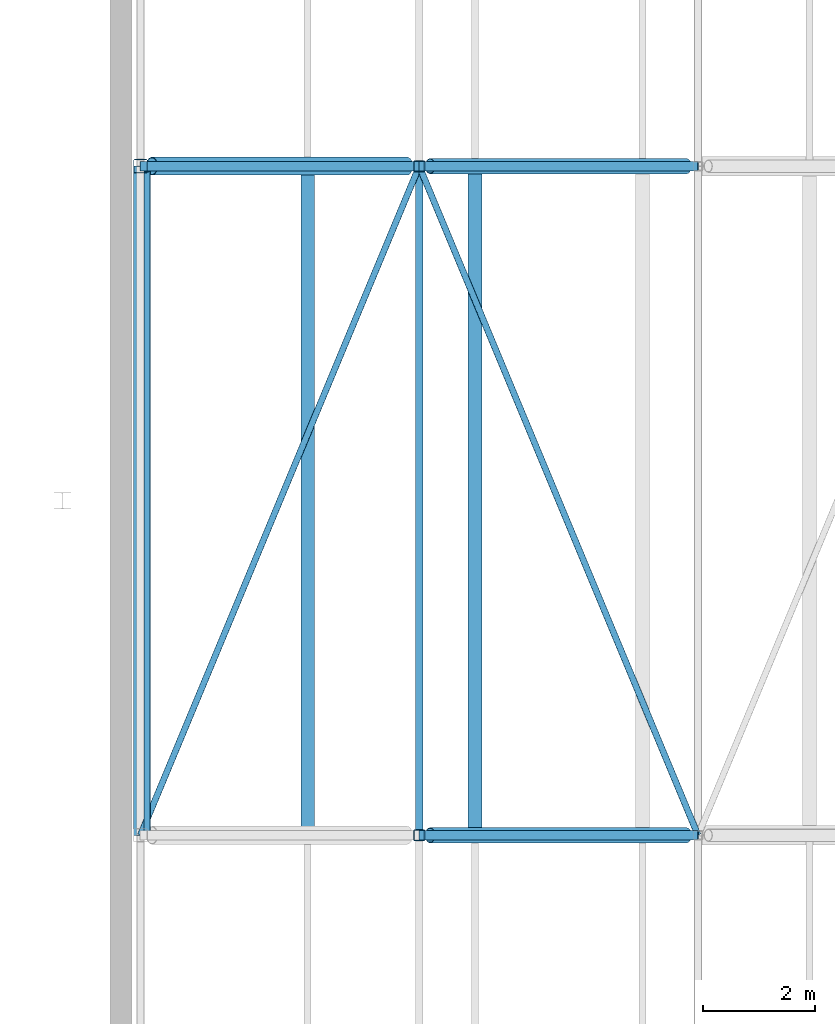
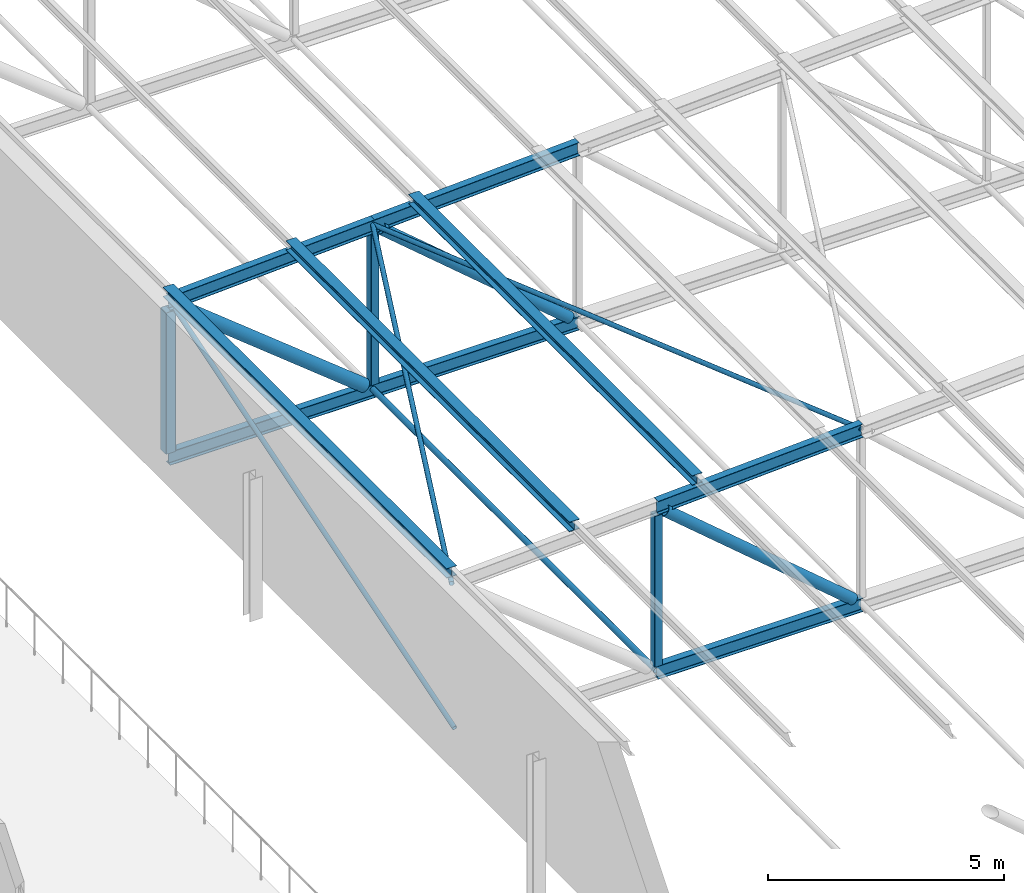
# One storey, part 91 of 156: 19 members.
"""IFC4 building model written with IfcOpenShell, lengths in metres."""

from ifc_helpers import new_model, si_unit, direction, frame, origin, origin_2d, place, context, subcontext, project, spatial, hollow_rectangle, hollow_circle, i_section, extrude, material, material_profile, profile_set, type_object, element, save


model = new_model("IFC4")

# Units and contexts
model_context = context("Model", 3, precision=1e-05, world=origin(), true_north=direction((0.0, 1.0)))
body_context = subcontext(model_context, "Body", "Model", "MODEL_VIEW")
ifc_project = project(units=[si_unit("LENGTHUNIT", "METRE"), si_unit("AREAUNIT", "SQUARE_METRE"), si_unit("VOLUMEUNIT", "CUBIC_METRE"), si_unit("PLANEANGLEUNIT", "RADIAN"), si_unit("MASSUNIT", "GRAM", prefix="KILO")], contexts=[model_context])

# Site, building, storey
site_placement = place(None, origin())
site = spatial("IfcSite", under=ifc_project, at=site_placement, CompositionType="ELEMENT")
building_placement = place(site_placement, origin())
building = spatial("IfcBuilding", under=site, at=building_placement, Name="Lilac Gate Convention Centre", CompositionType="ELEMENT")
storey_placement = place(building_placement, frame((0.0, 0.0, 17.0)))
storey = spatial("IfcBuildingStorey", under=building, at=storey_placement, Name="L03", CompositionType="ELEMENT", Elevation=17.0)

# Members
ifc_material = material(Name="Steel Q355B", Category="steel")
ifc_material_profile_1 = material_profile(ifc_material, hollow_circle(Radius=0.06982421875, WallThickness=0.0048828125, at=origin_2d()), Name="CHS139.7x5")
ifc_profile_set_1 = profile_set([ifc_material_profile_1], Name="Steel Q355B")
member_type_1 = type_object("IfcMemberType", Name="Bottom chord tie CHS139.7x5", PredefinedType="STRUT", material=ifc_profile_set_1)
member_1_placement = place(storey_placement, frame((35.0, 174.00341796875, 0.0), z_axis=(0.0, 1.0, 0.0), x_axis=(-1.0, 0.0, 0.0)))
element("IfcMember", 1, at=member_1_placement, inside=storey, type_object=member_type_1, Name="ST1 tie bay 13 node 2", PredefinedType="STRUT", context=body_context, shape_type="SweptSolid", body=[
    extrude(hollow_circle(Radius=0.06982421875, WallThickness=0.0048828125, at=origin_2d()), origin(), (0.0, 0.0, 1.0), 11.9931640625),
])
ifc_material_profile_2 = material_profile(ifc_material, hollow_circle(Radius=0.05712890625, WallThickness=0.0048828125, at=origin_2d()), Name="CHS114.3x5")
ifc_profile_set_2 = profile_set([ifc_material_profile_2], Name="Steel Q355B")
member_type_2 = type_object("IfcMemberType", Name="Roof plane bracing CHS114.3x5", PredefinedType="BRACE", material=ifc_profile_set_2)
for number, where, z_axis, x_axis, name in (
    (2, (30.00146484375, 174.00341796875, 4.0), (0.384538867181, 0.922908311091, 0.019238215751), (-0.923079146825, 0.384610047578, 0.0), "BR1 plan bracing bay 13 panel 1"),
    (3, (35.00146484375, 185.99658203125, 4.25), (0.384538867181, -0.922908311091, 0.019238215751), (0.923079146825, 0.384610047578, 0.0), "BR1 plan bracing bay 13 panel 2"),
):
    element("IfcMember", number, at=place(storey_placement, frame(where, z_axis=z_axis, x_axis=x_axis)), inside=storey, type_object=member_type_2, Name=name, PredefinedType="BRACE", context=body_context, shape_type="SweptSolid", body=[
        extrude(hollow_circle(Radius=0.05712890625, WallThickness=0.0048828125, at=origin_2d()), origin(), (0.0, 0.0, 1.0), 12.994873046875),
    ])
ifc_material_profile_3 = material_profile(ifc_material, i_section(OverallWidth=0.25, OverallDepth=0.25, WebThickness=0.009033203125, FlangeThickness=0.013916015625, FilletRadius=0.012939453125, at=origin_2d()), Name="HW250x250x9x14")
ifc_profile_set_3 = profile_set([ifc_material_profile_3], Name="Steel Q355B")
member_type_3 = type_object("IfcMemberType", Name="Roof purlin HW250x250x9x14", PredefinedType="PURLIN", material=ifc_profile_set_3)
for number, where, z_axis, x_axis, name in (
    (4, (30.0, 174.0, 4.30029296875), (0.0, 1.0, 0.0), (-1.0, 0.0, 0.0), "PU1 purlin bay 13 line 1"),
    (5, (33.0, 174.0, 4.4501953125), (0.0, 1.0, 0.0), (-1.0, 0.0, 0.0), "PU1 purlin bay 13 line 2"),
    (6, (36.0, 174.0, 4.60009765625), (0.0, 1.0, 0.0), (-1.0, 0.0, 0.0), "PU1 purlin bay 13 line 3"),
):
    element("IfcMember", number, at=place(storey_placement, frame(where, z_axis=z_axis, x_axis=x_axis)), inside=storey, type_object=member_type_3, Name=name, PredefinedType="PURLIN", context=body_context, shape_type="SweptSolid", body=[
        extrude(i_section(OverallWidth=0.25, OverallDepth=0.25, WebThickness=0.009033203125, FlangeThickness=0.013916015625, FilletRadius=0.012939453125, at=origin_2d()), origin(), (0.0, 0.0, 1.0), 12.0),
    ])
ifc_material_profile_4 = material_profile(ifc_material, i_section(OverallWidth=0.175048828125, OverallDepth=0.35009765625, WebThickness=0.007080078125, FlangeThickness=0.010986328125, FilletRadius=0.012939453125, at=origin_2d()), Name="HN350x175x7x11")
ifc_profile_set_4 = profile_set([ifc_material_profile_4], Name="Steel Q355B")
member_type_4 = type_object("IfcMemberType", Name="Truss bottom chord HN350x175x7x11", PredefinedType="CHORD", material=ifc_profile_set_4)
for number, where, z_axis, x_axis, name in (
    (7, (35.0, 174.0, 0.0), (1.0, 0.0, 0.0), (0.0, 1.0, 0.0), "TB1 truss 13 bottom chord 2"),
    (8, (30.0, 186.0, 0.0), (1.0, 0.0, 0.0), (0.0, 1.0, 0.0), "TB1 truss 14 bottom chord 1"),
    (9, (35.0, 186.0, 0.0), (1.0, 0.0, 0.0), (0.0, 1.0, 0.0), "TB1 truss 14 bottom chord 2"),
):
    element("IfcMember", number, at=place(storey_placement, frame(where, z_axis=z_axis, x_axis=x_axis)), inside=storey, type_object=member_type_4, Name=name, PredefinedType="CHORD", context=body_context, shape_type="SweptSolid", body=[
        extrude(i_section(OverallWidth=0.175048828125, OverallDepth=0.35009765625, WebThickness=0.007080078125, FlangeThickness=0.010986328125, FilletRadius=0.012939453125, at=origin_2d()), origin(), (0.0, 0.0, 1.0), 5.0),
    ])
ifc_material_profile_5 = material_profile(ifc_material, hollow_circle(Radius=0.136474609375, WallThickness=0.010009765625, at=origin_2d()), Name="CHS273x10")
ifc_profile_set_5 = profile_set([ifc_material_profile_5], Name="Steel Q355B")
member_type_5 = type_object("IfcMemberType", Name="Truss diagonal CHS273x10", PredefinedType="BRACE", material=ifc_profile_set_5)
for number, where, z_axis, x_axis, name in (
    (10, (35.193115234375, 174.0, 4.085693359375), (0.761961263863, 0.0, -0.647622600263), (0.0, 1.0, 0.0), "TW2 truss 13 diagonal 2"),
    (11, (35.193115234375, 186.0, 4.085693359375), (0.761961263863, 0.0, -0.647622600263), (0.0, 1.0, 0.0), "TW2 truss 14 diagonal 2"),
):
    element("IfcMember", number, at=place(storey_placement, frame(where, z_axis=z_axis, x_axis=x_axis)), inside=storey, type_object=member_type_5, Name=name, PredefinedType="BRACE", context=body_context, shape_type="SweptSolid", body=[
        extrude(hollow_circle(Radius=0.136474609375, WallThickness=0.010009765625, at=origin_2d()), origin(), (0.0, 0.0, 1.0), 6.03857421875),
    ])
ifc_material_profile_6 = material_profile(ifc_material, hollow_circle(Radius=0.161865234375, WallThickness=0.011962890625, at=origin_2d()), Name="CHS323.9x12")
ifc_profile_set_6 = profile_set([ifc_material_profile_6], Name="Steel Q355B")
member_type_6 = type_object("IfcMemberType", Name="Truss diagonal CHS323.9x12", PredefinedType="BRACE", material=ifc_profile_set_6)
member_2_placement = place(storey_placement, frame((30.205322265625, 186.0, 3.835693359375), z_axis=(0.780876938611, 0.0, -0.624684885959), x_axis=(0.0, 1.0, 0.0)))
element("IfcMember", 12, at=member_2_placement, inside=storey, type_object=member_type_6, Name="TW1 truss 14 diagonal 1", PredefinedType="BRACE", context=body_context, shape_type="SweptSolid", body=[
    extrude(hollow_circle(Radius=0.161865234375, WallThickness=0.011962890625, at=origin_2d()), origin(), (0.0, 0.0, 1.0), 5.860107421875),
])
ifc_material_profile_7 = material_profile(ifc_material, i_section(OverallWidth=0.175048828125, OverallDepth=0.35009765625, WebThickness=0.007080078125, FlangeThickness=0.010986328125, FilletRadius=0.012939453125, at=origin_2d()), Name="HN350x175x7x11")
ifc_profile_set_7 = profile_set([ifc_material_profile_7], Name="Steel Q355B")
member_type_7 = type_object("IfcMemberType", Name="Truss top chord HN350x175x7x11", PredefinedType="CHORD", material=ifc_profile_set_7)
for number, where, z_axis, x_axis, name in (
    (13, (35.0, 174.0, 4.25), (0.998752338878, 0.0, 0.049937616944), (0.0, 1.0, 0.0), "TT1 truss 13 top chord 2"),
    (14, (30.0, 186.0, 4.0), (0.998752338878, 0.0, 0.049937616944), (0.0, 1.0, 0.0), "TT1 truss 14 top chord 1"),
    (15, (35.0, 186.0, 4.25), (0.998752338878, 0.0, 0.049937616944), (0.0, 1.0, 0.0), "TT1 truss 14 top chord 2"),
):
    element("IfcMember", number, at=place(storey_placement, frame(where, z_axis=z_axis, x_axis=x_axis)), inside=storey, type_object=member_type_7, Name=name, PredefinedType="CHORD", context=body_context, shape_type="SweptSolid", body=[
        extrude(i_section(OverallWidth=0.175048828125, OverallDepth=0.35009765625, WebThickness=0.007080078125, FlangeThickness=0.010986328125, FilletRadius=0.012939453125, at=origin_2d()), origin(), (0.0, 0.0, 1.0), 5.00634765625),
    ])
ifc_material_profile_8 = material_profile(ifc_material, hollow_rectangle(XDim=0.199951171875, YDim=0.199951171875, WallThickness=0.008056640625, InnerFilletRadius=0.011962890625, OuterFilletRadius=0.02001953125, at=origin_2d()), Name="SHS200x200x8")
ifc_profile_set_8 = profile_set([ifc_material_profile_8], Name="Steel Q355B")
member_type_8 = type_object("IfcMemberType", Name="Truss vertical SHS200x200x8", PredefinedType="STRUT", material=ifc_profile_set_8)
for number, where, z_axis, x_axis, name in (
    (16, (35.0, 174.0, 0.175048828125), (0.0, 0.0, 1.0), (1.0, 0.0, 0.0), "TV2 truss 13 vertical 2"),
    (17, (35.0, 186.0, 0.175048828125), (0.0, 0.0, 1.0), (1.0, 0.0, 0.0), "TV2 truss 14 vertical 2"),
):
    element("IfcMember", number, at=place(storey_placement, frame(where, z_axis=z_axis, x_axis=x_axis)), inside=storey, type_object=member_type_8, Name=name, PredefinedType="STRUT", context=body_context, shape_type="SweptSolid", body=[
        extrude(hollow_rectangle(XDim=0.199951171875, YDim=0.199951171875, WallThickness=0.008056640625, InnerFilletRadius=0.011962890625, OuterFilletRadius=0.02001953125, at=origin_2d()), origin(), (0.0, 0.0, 1.0), 3.899658203125),
    ])
ifc_material_profile_9 = material_profile(ifc_material, hollow_rectangle(XDim=0.25, YDim=0.25, WallThickness=0.010009765625, InnerFilletRadius=0.014892578125, OuterFilletRadius=0.02490234375, at=origin_2d()), Name="SHS250x250x10")
ifc_profile_set_9 = profile_set([ifc_material_profile_9], Name="Steel Q355B")
member_type_9 = type_object("IfcMemberType", Name="Truss vertical SHS250x250x10", PredefinedType="STRUT", material=ifc_profile_set_9)
member_3_placement = place(storey_placement, frame((30.0, 186.0, 0.175048828125), z_axis=(0.0, 0.0, 1.0), x_axis=(1.0, 0.0, 0.0)))
element("IfcMember", 18, at=member_3_placement, inside=storey, type_object=member_type_9, Name="TV1 truss 14 vertical 1", PredefinedType="STRUT", context=body_context, shape_type="SweptSolid", body=[
    extrude(hollow_rectangle(XDim=0.25, YDim=0.25, WallThickness=0.010009765625, InnerFilletRadius=0.014892578125, OuterFilletRadius=0.02490234375, at=origin_2d()), origin(), (0.0, 0.0, 1.0), 3.649658203125),
])
ifc_material_profile_10 = material_profile(ifc_material, hollow_circle(Radius=0.05712890625, WallThickness=0.006103515625, at=origin_2d()), Name="CHS114.3x6")
ifc_profile_set_10 = profile_set([ifc_material_profile_10], Name="Steel Q355B")
member_type_10 = type_object("IfcMemberType", Name="Vertical bracing CHS114.3x6", PredefinedType="BRACE", material=ifc_profile_set_10)
member_4_placement = place(storey_placement, frame((30.1201171875, 174.08740234375, 0.175048828125), z_axis=(0.0, 0.955386652678, 0.295357992757), x_axis=(-1.0, 0.0, 0.0)))
element("IfcMember", 19, at=member_4_placement, inside=storey, type_object=member_type_10, Name="BR2 vertical bracing bay 13 line 1", PredefinedType="BRACE", context=body_context, shape_type="SweptSolid", body=[
    extrude(hollow_circle(Radius=0.05712890625, WallThickness=0.006103515625, at=origin_2d()), origin(), (0.0, 0.0, 1.0), 12.37744140625),
])

save(model, "model.ifc")
